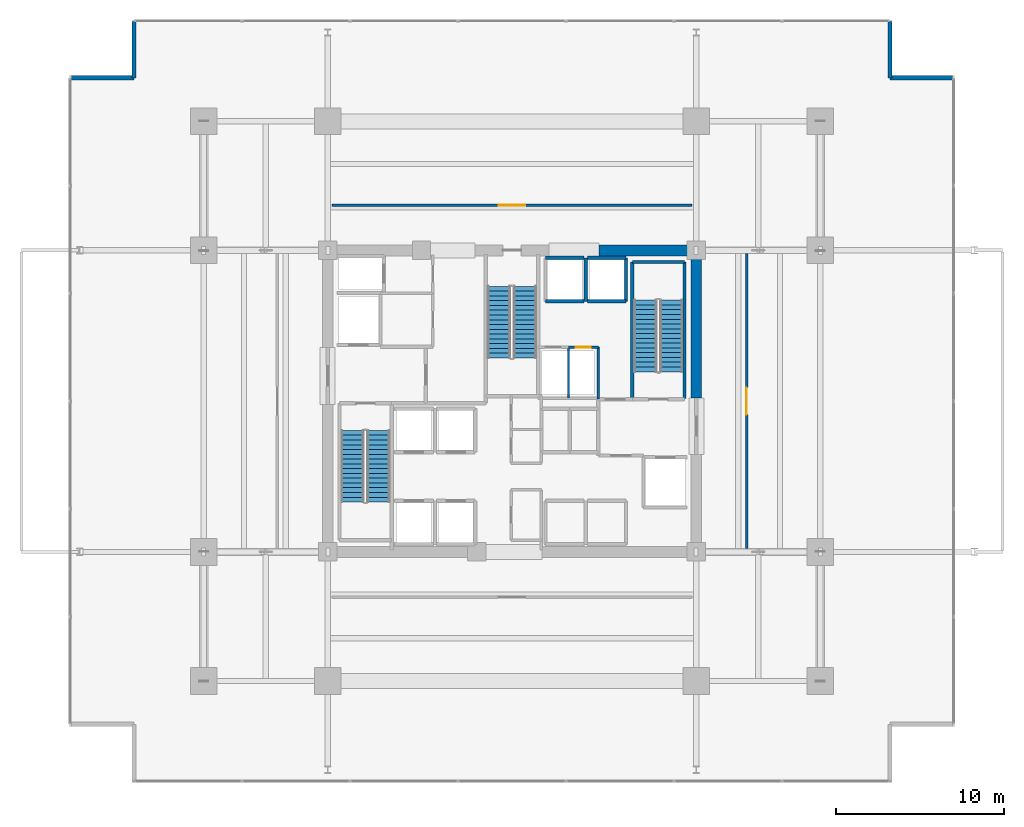
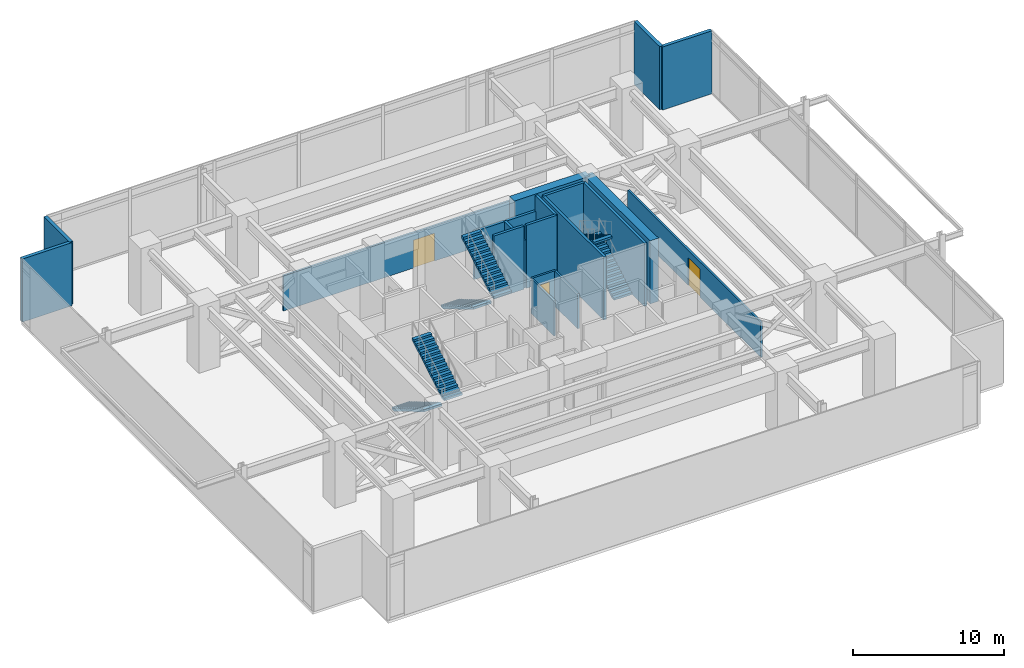
# One storey, part 25 of 26: 20 walls, 6 stair flights, 3 doors, 3 openings, 3 elements without a shape of their own.
"""IFC4 building model written with IfcOpenShell, lengths in metres."""

from ifc_helpers import new_model, si_unit, direction, frame, frame_2d, origin, place, context, subcontext, project, spatial, polyline, rectangle, outline, extrude, material, layer, layer_set, type_object, element, fill, aggregate, save


model = new_model("IFC4")

# Units and contexts
model_context = context("Model", 3, precision=1e-05, world=origin(), true_north=direction((0.0, 1.0)))
body_context = subcontext(model_context, "Body", "Model", "MODEL_VIEW")
ifc_project = project(units=[si_unit("LENGTHUNIT", "METRE"), si_unit("AREAUNIT", "SQUARE_METRE"), si_unit("VOLUMEUNIT", "CUBIC_METRE"), si_unit("PLANEANGLEUNIT", "RADIAN"), si_unit("MASSUNIT", "GRAM", prefix="KILO")], contexts=[model_context])

# Site, building, storey
site_placement = place(None, origin())
site = spatial("IfcSite", under=ifc_project, at=site_placement, CompositionType="ELEMENT")
building_placement = place(site_placement, origin())
building = spatial("IfcBuilding", under=site, at=building_placement, Name="Kovane Verandah Tower", CompositionType="ELEMENT")
storey_placement = place(building_placement, frame((0.0, 0.0, 113.0)))
storey = spatial("IfcBuildingStorey", under=building, at=storey_placement, Name="L26", CompositionType="ELEMENT", Elevation=113.0)

# Wall
ifc_material_1 = material(Name="Fire-Rated Gypsum Stud Partition", Category="gypsum")
ifc_layer_1 = layer(ifc_material_1, 0.14990234375)
ifc_layer_set_1 = layer_set([ifc_layer_1], Name="Fire-Rated Gypsum Stud Partition")
wall_type_1 = type_object("IfcWallType", Name="WL-COR-150", PredefinedType="PARTITIONING", material=ifc_layer_set_1)
wall_1_placement = place(storey_placement, frame((45.14990234375, 27.6201171875, 0.0), z_axis=(0.0, 0.0, 1.0), x_axis=(0.0, 1.0, 0.0)))
element("IfcWall", 1, at=wall_1_placement, inside=storey, type_object=wall_type_1, Name="L26 East Core Service Riser East Wall", PredefinedType="PARTITIONING", context=body_context, shape_type="SweptSolid", body=[
    extrude(rectangle(XDim=3.099853515625, YDim=0.14990234375, at=frame_2d((1.5498046875, 0.0))), origin(), (0.0, 0.0, 1.0), 2.85009765625),
])

# Wall, opening, door
wall_2_placement = place(storey_placement, frame((43.360107421875, 30.719970703125, 0.0), z_axis=(0.0, 0.0, 1.0), x_axis=(1.0, 0.0, 0.0)))
wall_2 = element("IfcWall", 2, at=wall_2_placement, inside=storey, type_object=wall_type_1, Name="L26 Smoke Extract Duct Room Partition", PredefinedType="PARTITIONING", context=body_context, shape_type="SweptSolid", body=[
    extrude(rectangle(XDim=1.789794921875, YDim=0.14990234375, at=frame_2d((0.89501953125, 0.0))), origin(), (0.0, 0.0, 1.0), 2.85009765625),
])
opening_1_placement = place(wall_2_placement, frame((0.455078125, 0.0, 0.0)))
opening_1 = element("IfcOpeningElement", 3, at=opening_1_placement, cuts=wall_2, Name="Opening DR-L26-012", PredefinedType="OPENING", context=body_context, shape_type="SweptSolid", body=[
    extrude(rectangle(XDim=0.8798828125, YDim=2.10009765625, at=frame_2d((0.43994140625, 1.050048828125))), frame((0.0, 0.074951171875, 0.0), z_axis=(0.0, -1.0, 0.0), x_axis=(1.0, 0.0, 0.0)), (0.0, 0.0, 1.0), 0.14990234375),
])
ifc_material_2 = material(Name="Fire-Rated Steel Riser Access Door", Category="steel")
door_type_1 = type_object("IfcDoorType", Name="DR-RISER-880", OperationType="SINGLE_SWING_LEFT", PredefinedType="DOOR", material=ifc_material_2)
door_1_placement = place(opening_1_placement, origin())
door_1 = element("IfcDoor", 4, at=door_1_placement, inside=storey, type_object=door_type_1, Name="L26 Smoke Extract Duct Room Door", OperationType="SINGLE_SWING_RIGHT", OverallHeight=2.10009765625, OverallWidth=0.8798828125, PredefinedType="DOOR", context=body_context, shape_type="SweptSolid", body=[
    extrude(rectangle(XDim=0.8798828125, YDim=2.10009765625, at=frame_2d((0.43994140625, 1.050048828125))), frame((0.0, 0.02490234375, 0.0), z_axis=(0.0, -1.0, 0.0), x_axis=(1.0, 0.0, 0.0)), (0.0, 0.0, 1.0), 0.050048828125),
])
fill(opening_1, door_1)

wall_3_placement = place(storey_placement, frame((29.25, 39.199951171875, 0.0), z_axis=(0.0, 0.0, 1.0), x_axis=(1.0, 0.0, 0.0)))
wall_3 = element("IfcWall", 5, at=wall_3_placement, inside=storey, type_object=wall_type_1, Name="L26 Mechanical AHU Plant Room North Corridor Partition", PredefinedType="PARTITIONING", context=body_context, shape_type="SweptSolid", body=[
    extrude(rectangle(XDim=21.5, YDim=0.14990234375, at=frame_2d((10.75, 0.0))), origin(), (0.0, 0.0, 1.0), 2.85009765625),
])
opening_2_placement = place(wall_3_placement, frame((9.949951171875, 0.0, 0.0)))
opening_2 = element("IfcOpeningElement", 6, at=opening_2_placement, cuts=wall_3, Name="Opening DR-L26-013", PredefinedType="OPENING", context=body_context, shape_type="SweptSolid", body=[
    extrude(rectangle(XDim=1.60009765625, YDim=2.25, at=frame_2d((0.800048828125, 1.125))), frame((0.0, 0.074951171875, 0.0), z_axis=(0.0, -1.0, 0.0), x_axis=(1.0, 0.0, 0.0)), (0.0, 0.0, 1.0), 0.14990234375),
])
ifc_material_3 = material(Name="Louvred Acoustic Steel Double Plant Door", Category="steel")
door_type_2 = type_object("IfcDoorType", Name="DR-PLANT-1600", OperationType="DOUBLE_DOOR_SINGLE_SWING", PredefinedType="DOOR", material=ifc_material_3)
door_2_placement = place(opening_2_placement, origin())
door_2 = element("IfcDoor", 7, at=door_2_placement, inside=storey, type_object=door_type_2, Name="L26 Mechanical AHU Plant Room North Entrance Door", OperationType="DOUBLE_DOOR_SINGLE_SWING", OverallHeight=2.25, OverallWidth=1.60009765625, PredefinedType="DOOR", context=body_context, shape_type="SweptSolid", body=[
    extrude(rectangle(XDim=1.60009765625, YDim=2.25, at=frame_2d((0.800048828125, 1.125))), frame((0.0, 0.02490234375, 0.0), z_axis=(0.0, -1.0, 0.0), x_axis=(1.0, 0.0, 0.0)), (0.0, 0.0, 1.0), 0.050048828125),
])
fill(opening_2, door_2)

wall_4_placement = place(storey_placement, frame((54.0, 18.699951171875, 0.0), z_axis=(0.0, 0.0, 1.0), x_axis=(0.0, 1.0, 0.0)))
wall_4 = element("IfcWall", 8, at=wall_4_placement, inside=storey, type_object=wall_type_1, Name="L26 Electrical Switchroom Plant East Corridor Partition", PredefinedType="PARTITIONING", context=body_context, shape_type="SweptSolid", body=[
    extrude(rectangle(XDim=17.60009765625, YDim=0.14990234375, at=frame_2d((8.800048828125, 0.0))), origin(), (0.0, 0.0, 1.0), 2.85009765625),
])
opening_3_placement = place(wall_4_placement, frame((8.0, 0.0, 0.0)))
opening_3 = element("IfcOpeningElement", 9, at=opening_3_placement, cuts=wall_4, Name="Opening DR-L26-010", PredefinedType="OPENING", context=body_context, shape_type="SweptSolid", body=[
    extrude(rectangle(XDim=1.60009765625, YDim=2.25, at=frame_2d((0.800048828125, 1.125))), frame((0.0, 0.074951171875, 0.0), z_axis=(0.0, -1.0, 0.0), x_axis=(1.0, 0.0, 0.0)), (0.0, 0.0, 1.0), 0.14990234375),
])
door_3_placement = place(opening_3_placement, origin())
door_3 = element("IfcDoor", 10, at=door_3_placement, inside=storey, type_object=door_type_2, Name="L26 Electrical Switchroom Plant East Entrance Door", OperationType="DOUBLE_DOOR_SINGLE_SWING", OverallHeight=2.25, OverallWidth=1.60009765625, PredefinedType="DOOR", context=body_context, shape_type="SweptSolid", body=[
    extrude(rectangle(XDim=1.60009765625, YDim=2.25, at=frame_2d((0.800048828125, 1.125))), frame((0.0, 0.02490234375, 0.0), z_axis=(0.0, -1.0, 0.0), x_axis=(1.0, 0.0, 0.0)), (0.0, 0.0, 1.0), 0.050048828125),
])
fill(opening_3, door_3)

# Walls
ifc_material_4 = material(Name="Concrete C80/95", Category="concrete")
ifc_layer_2 = layer(ifc_material_4, 0.64990234375)
ifc_layer_set_2 = layer_set([ifc_layer_2], Name="Concrete C80/95")
wall_type_2 = type_object("IfcWallType", Name="WL-CORE-650", PredefinedType="SHEAR", material=ifc_layer_set_2)
wall_5_placement = place(storey_placement, frame((45.199951171875, 36.5, 0.0), z_axis=(0.0, 0.0, 1.0), x_axis=(1.0, 0.0, 0.0)))
element("IfcWall", 11, at=wall_5_placement, inside=storey, type_object=wall_type_2, Name="L26 Core Shear Wall CN-3", PredefinedType="SHEAR", context=body_context, shape_type="SweptSolid", body=[
    extrude(rectangle(XDim=5.800048828125, YDim=0.64990234375, at=frame_2d((2.89990234375, 0.0))), origin(), (0.0, 0.0, 1.0), 5.10009765625),
])
wall_6_placement = place(storey_placement, frame((51.0, 27.699951171875, 0.0), z_axis=(0.0, 0.0, 1.0), x_axis=(0.0, 1.0, 0.0)))
element("IfcWall", 12, at=wall_6_placement, inside=storey, type_object=wall_type_2, Name="L26 Core Shear Wall CE-2", PredefinedType="SHEAR", context=body_context, shape_type="SweptSolid", body=[
    extrude(rectangle(XDim=8.800048828125, YDim=0.64990234375, at=frame_2d((4.39990234375, 0.0))), origin(), (0.0, 0.0, 1.0), 5.10009765625),
])
ifc_material_5 = material(Name="Concrete C45/55 Lift Shaft Wall", Category="concrete")
ifc_layer_3 = layer(ifc_material_5, 0.199951171875)
ifc_layer_set_3 = layer_set([ifc_layer_3], Name="Concrete C45/55 Lift Shaft Wall")
wall_type_3 = type_object("IfcWallType", Name="WL-LIFT-200", PredefinedType="SOLIDWALL", material=ifc_layer_set_3)
wall_7_placement = place(storey_placement, frame((42.0, 33.449951171875, 0.0), z_axis=(0.0, 0.0, 1.0), x_axis=(1.0, 0.0, 0.0)))
element("IfcWall", 13, at=wall_7_placement, inside=storey, type_object=wall_type_3, Name="L26 Lift SL-01 S Shaft Wall", PredefinedType="SOLIDWALL", context=body_context, shape_type="SweptSolid", body=[
    extrude(rectangle(XDim=2.300048828125, YDim=0.199951171875, at=frame_2d((1.14990234375, 0.0))), origin(), (0.0, 0.0, 1.0), 5.10009765625),
])
wall_8_placement = place(storey_placement, frame((44.300048828125, 36.050048828125, 0.0), z_axis=(0.0, 0.0, 1.0), x_axis=(-1.0, 0.0, 0.0)))
element("IfcWall", 14, at=wall_8_placement, inside=storey, type_object=wall_type_3, Name="L26 Lift SL-01 N Shaft Wall", PredefinedType="SOLIDWALL", context=body_context, shape_type="SweptSolid", body=[
    extrude(rectangle(XDim=2.300048828125, YDim=0.199951171875, at=frame_2d((1.14990234375, 0.0))), origin(), (0.0, 0.0, 1.0), 3.8798828125),
])
wall_9_placement = place(storey_placement, frame((44.39990234375, 33.449951171875, 0.0), z_axis=(0.0, 0.0, 1.0), x_axis=(0.0, 1.0, 0.0)))
element("IfcWall", 15, at=wall_9_placement, inside=storey, type_object=wall_type_3, Name="L26 Lift OL-01 and SL-01 Shared Shaft Wall", PredefinedType="SOLIDWALL", context=body_context, shape_type="SweptSolid", body=[
    extrude(rectangle(XDim=2.60009765625, YDim=0.199951171875, at=frame_2d((1.300048828125, 0.0))), origin(), (0.0, 0.0, 1.0), 3.8798828125),
])
wall_10_placement = place(storey_placement, frame((44.5, 33.449951171875, 0.0), z_axis=(0.0, 0.0, 1.0), x_axis=(1.0, 0.0, 0.0)))
element("IfcWall", 16, at=wall_10_placement, inside=storey, type_object=wall_type_3, Name="L26 Lift OL-01 S Shaft Wall", PredefinedType="SOLIDWALL", context=body_context, shape_type="SweptSolid", body=[
    extrude(rectangle(XDim=2.300048828125, YDim=0.199951171875, at=frame_2d((1.14990234375, 0.0))), origin(), (0.0, 0.0, 1.0), 5.10009765625),
])
wall_11_placement = place(storey_placement, frame((46.800048828125, 36.050048828125, 0.0), z_axis=(0.0, 0.0, 1.0), x_axis=(-1.0, 0.0, 0.0)))
element("IfcWall", 17, at=wall_11_placement, inside=storey, type_object=wall_type_3, Name="L26 Lift OL-01 N Shaft Wall", PredefinedType="SOLIDWALL", context=body_context, shape_type="SweptSolid", body=[
    extrude(rectangle(XDim=2.300048828125, YDim=0.199951171875, at=frame_2d((1.14990234375, 0.0))), origin(), (0.0, 0.0, 1.0), 3.8798828125),
])
wall_12_placement = place(storey_placement, frame((46.800048828125, 33.449951171875, 0.0), z_axis=(0.0, 0.0, 1.0), x_axis=(0.0, 1.0, 0.0)))
element("IfcWall", 18, at=wall_12_placement, inside=storey, type_object=wall_type_3, Name="L26 Lift OL-01 E Shaft Wall", PredefinedType="SOLIDWALL", context=body_context, shape_type="SweptSolid", body=[
    extrude(rectangle(XDim=2.60009765625, YDim=0.199951171875, at=frame_2d((1.300048828125, 0.0))), origin(), (0.0, 0.0, 1.0), 5.10009765625),
])
ifc_material_6 = material(Name="Acoustic Fire-Rated Gypsum Partition", Category="gypsum")
ifc_layer_4 = layer(ifc_material_6, 0.1201171875)
ifc_layer_set_4 = layer_set([ifc_layer_4], Name="Acoustic Fire-Rated Gypsum Partition")
wall_type_4 = type_object("IfcWallType", Name="WL-PART-120", PredefinedType="PARTITIONING", material=ifc_layer_set_4)
wall_13_placement = place(storey_placement, frame((43.360107421875, 27.679931640625, 0.0), z_axis=(0.0, 0.0, 1.0), x_axis=(0.0, 1.0, 0.0)))
element("IfcWall", 19, at=wall_13_placement, inside=storey, type_object=wall_type_4, Name="L26 Service Riser Dividing Partition", PredefinedType="PARTITIONING", context=body_context, shape_type="SweptSolid", body=[
    extrude(rectangle(XDim=3.0400390625, YDim=0.1201171875, at=frame_2d((1.52001953125, 0.0))), origin(), (0.0, 0.0, 1.0), 2.85009765625),
])
ifc_material_7 = material(Name="Concrete C45/55", Category="concrete")
ifc_layer_5 = layer(ifc_material_7, 0.199951171875)
ifc_layer_set_5 = layer_set([ifc_layer_5], Name="Concrete C45/55")
wall_type_5 = type_object("IfcWallType", Name="WL-SHAFT-200", PredefinedType="SOLIDWALL", material=ifc_layer_set_5)
wall_14_placement = place(storey_placement, frame((50.300048828125, 27.64990234375, 0.0), z_axis=(0.0, 0.0, 1.0), x_axis=(0.0, 1.0, 0.0)))
element("IfcWall", 20, at=wall_14_placement, inside=storey, type_object=wall_type_5, Name="W-L26-ST02-E", PredefinedType="SOLIDWALL", context=body_context, shape_type="SweptSolid", body=[
    extrude(rectangle(XDim=8.150146484375, YDim=0.199951171875, at=frame_2d((4.0751953125, 0.0))), origin(), (0.0, 0.0, 1.0), 5.10009765625),
])
wall_15_placement = place(storey_placement, frame((47.179931640625, 35.800048828125, 0.0), z_axis=(0.0, 0.0, 1.0), x_axis=(1.0, 0.0, 0.0)))
element("IfcWall", 21, at=wall_15_placement, inside=storey, type_object=wall_type_5, Name="W-L26-ST02-N", PredefinedType="SOLIDWALL", context=body_context, shape_type="SweptSolid", body=[
    extrude(rectangle(XDim=3.1201171875, YDim=0.199951171875, at=frame_2d((1.56005859375, 0.0))), origin(), (0.0, 0.0, 1.0), 5.10009765625),
])
wall_16_placement = place(storey_placement, frame((47.179931640625, 27.6201171875, 0.0), z_axis=(0.0, 0.0, 1.0), x_axis=(0.0, 1.0, 0.0)))
element("IfcWall", 22, at=wall_16_placement, inside=storey, type_object=wall_type_5, Name="W-L26-ST02-W", PredefinedType="SOLIDWALL", context=body_context, shape_type="SweptSolid", body=[
    extrude(rectangle(XDim=8.179931640625, YDim=0.199951171875, at=frame_2d((4.08984375, 0.0))), origin(), (0.0, 0.0, 1.0), 5.10009765625),
])
ifc_material_8 = material(Name="Concrete C45/55 Insulated Spandrel Wall", Category="concrete")
ifc_layer_6 = layer(ifc_material_8, 0.260009765625)
ifc_layer_set_6 = layer_set([ifc_layer_6], Name="Concrete C45/55 Insulated Spandrel Wall")
wall_type_6 = type_object("IfcWallType", Name="WL-SPANDREL-260", PredefinedType="PARAPET", material=ifc_layer_set_6)
wall_17_placement = place(storey_placement, frame((66.364013671875, 46.794921875, 0.0), z_axis=(0.0, 0.0, 1.0), x_axis=(-1.0, 0.0, 0.0)))
element("IfcWall", 23, at=wall_17_placement, inside=storey, type_object=wall_type_6, Name="L26 NE Notch Cheek Wall 1", PredefinedType="PARAPET", context=body_context, shape_type="SweptSolid", body=[
    extrude(rectangle(XDim=3.7998046875, YDim=0.260009765625, at=frame_2d((1.89990234375, 0.0))), origin(), (0.0, 0.0, 1.0), 5.10009765625),
])
for number, where, z_axis, x_axis, name in (
    (24, (62.564208984375, 46.794921875, 0.0), (0.0, 0.0, 1.0), (0.0, 1.0, 0.0), "L26 NE Notch Cheek Wall 2"),
    (25, (17.435791015625, 50.19482421875, 0.0), (0.0, 0.0, 1.0), (0.0, -1.0, 0.0), "L26 NW Notch Cheek Wall 1"),
):
    element("IfcWall", number, at=place(storey_placement, frame(where, z_axis=z_axis, x_axis=x_axis)), inside=storey, type_object=wall_type_6, Name=name, PredefinedType="PARAPET", context=body_context, shape_type="SweptSolid", body=[
        extrude(rectangle(XDim=3.39990234375, YDim=0.260009765625, at=frame_2d((1.699951171875, 0.0))), origin(), (0.0, 0.0, 1.0), 5.10009765625),
    ])
wall_18_placement = place(storey_placement, frame((17.435791015625, 46.794921875, 0.0), z_axis=(0.0, 0.0, 1.0), x_axis=(-1.0, 0.0, 0.0)))
element("IfcWall", 26, at=wall_18_placement, inside=storey, type_object=wall_type_6, Name="L26 NW Notch Cheek Wall 2", PredefinedType="PARAPET", context=body_context, shape_type="SweptSolid", body=[
    extrude(rectangle(XDim=3.7998046875, YDim=0.260009765625, at=frame_2d((1.89990234375, 0.0))), origin(), (0.0, 0.0, 1.0), 5.10009765625),
])

# Stair, stair flights
stair_type = type_object("IfcStairType", Name="ST-CORE-1380", PredefinedType="HALF_TURN_STAIR", material=ifc_material_7)
stair_1_placement = place(storey_placement, origin())
stair_1 = element("IfcStair", 27, at=stair_1_placement, inside=storey, type_object=stair_type, Name="L26 Exit Stair ST-01", PredefinedType="HALF_TURN_STAIR")
stair_flight_type = type_object("IfcStairFlightType", Name="STF-CORE-1380", PredefinedType="STRAIGHT", material=ifc_material_7)
stair_flight_1_placement = place(storey_placement, frame((30.489990234375, 25.75, 0.0), z_axis=(0.0, 0.0, 1.0), x_axis=(0.0, -1.0, 0.0)))
stair_flight_1 = element("IfcStairFlight", 28, at=stair_flight_1_placement, type_object=stair_flight_type, Name="ST-01 flight 1", NumberOfRisers=16, NumberOfTreads=15, PredefinedType="STRAIGHT", RiserHeight=0.16875, TreadLength=0.285, context=body_context, shape_type="SweptSolid", body=[
    extrude(outline(polyline([(0.0, 0.0), (0.0, 0.168701171875), (0.284912109375, 0.168701171875), (0.284912109375, 0.33740234375), (0.570068359375, 0.33740234375), (0.570068359375, 0.50634765625), (0.85498046875, 0.50634765625), (0.85498046875, 0.675048828125), (1.139892578125, 0.675048828125), (1.139892578125, 0.84375), (1.425048828125, 0.84375), (1.425048828125, 1.012451171875), (1.7099609375, 1.012451171875), (1.7099609375, 1.18115234375), (1.9951171875, 1.18115234375), (1.9951171875, 1.35009765625), (2.280029296875, 1.35009765625), (2.280029296875, 1.518798828125), (2.56494140625, 1.518798828125), (2.56494140625, 1.6875), (2.85009765625, 1.6875), (2.85009765625, 1.856201171875), (3.135009765625, 1.856201171875), (3.135009765625, 2.02490234375), (3.419921875, 2.02490234375), (3.419921875, 2.19384765625), (3.705078125, 2.19384765625), (3.705078125, 2.362548828125), (3.989990234375, 2.362548828125), (3.989990234375, 2.53125), (4.27490234375, 2.53125), (4.27490234375, 2.699951171875), (4.27490234375, 2.35693359375), (0.294189453125, 0.0), (0.0, 0.0)])), frame((0.0, 0.68994140625, 0.0), z_axis=(0.0, -1.0, 0.0), x_axis=(1.0, 0.0, 0.0)), (0.0, 0.0, 1.0), 1.3798828125),
])
stair_flight_2_placement = place(storey_placement, frame((32.030029296875, 21.47509765625, 2.699951171875), z_axis=(0.0, 0.0, 1.0), x_axis=(0.0, 1.0, 0.0)))
stair_flight_2 = element("IfcStairFlight", 29, at=stair_flight_2_placement, type_object=stair_flight_type, Name="ST-01 flight 2", NumberOfRisers=16, NumberOfTreads=15, PredefinedType="STRAIGHT", RiserHeight=0.16875, TreadLength=0.285, context=body_context, shape_type="SweptSolid", body=[
    extrude(outline(polyline([(0.0, 0.0), (0.0, 0.168701171875), (0.284912109375, 0.168701171875), (0.284912109375, 0.33740234375), (0.570068359375, 0.33740234375), (0.570068359375, 0.50634765625), (0.85498046875, 0.50634765625), (0.85498046875, 0.675048828125), (1.139892578125, 0.675048828125), (1.139892578125, 0.84375), (1.425048828125, 0.84375), (1.425048828125, 1.012451171875), (1.7099609375, 1.012451171875), (1.7099609375, 1.18115234375), (1.9951171875, 1.18115234375), (1.9951171875, 1.35009765625), (2.280029296875, 1.35009765625), (2.280029296875, 1.518798828125), (2.56494140625, 1.518798828125), (2.56494140625, 1.6875), (2.85009765625, 1.6875), (2.85009765625, 1.856201171875), (3.135009765625, 1.856201171875), (3.135009765625, 2.02490234375), (3.419921875, 2.02490234375), (3.419921875, 2.19384765625), (3.705078125, 2.19384765625), (3.705078125, 2.362548828125), (3.989990234375, 2.362548828125), (3.989990234375, 2.53125), (4.27490234375, 2.53125), (4.27490234375, 2.699951171875), (4.27490234375, 2.35693359375), (0.294189453125, 0.0), (0.0, 0.0)])), frame((0.0, 0.68994140625, 0.0), z_axis=(0.0, -1.0, 0.0), x_axis=(1.0, 0.0, 0.0)), (0.0, 0.0, 1.0), 1.3798828125),
])
aggregate(stair_1, [stair_flight_1, stair_flight_2])

stair_2_placement = place(storey_placement, origin())
stair_2 = element("IfcStair", 30, at=stair_2_placement, inside=storey, type_object=stair_type, Name="L26 Exit Stair ST-02", PredefinedType="HALF_TURN_STAIR")
stair_flight_3_placement = place(storey_placement, frame((49.510009765625, 29.25, 0.0), z_axis=(0.0, 0.0, 1.0), x_axis=(0.0, 1.0, 0.0)))
stair_flight_3 = element("IfcStairFlight", 31, at=stair_flight_3_placement, type_object=stair_flight_type, Name="ST-02 flight 1", NumberOfRisers=16, NumberOfTreads=15, PredefinedType="STRAIGHT", RiserHeight=0.16875, TreadLength=0.285, context=body_context, shape_type="SweptSolid", body=[
    extrude(outline(polyline([(0.0, 0.0), (0.0, 0.168701171875), (0.284912109375, 0.168701171875), (0.284912109375, 0.33740234375), (0.570068359375, 0.33740234375), (0.570068359375, 0.50634765625), (0.85498046875, 0.50634765625), (0.85498046875, 0.675048828125), (1.139892578125, 0.675048828125), (1.139892578125, 0.84375), (1.425048828125, 0.84375), (1.425048828125, 1.012451171875), (1.7099609375, 1.012451171875), (1.7099609375, 1.18115234375), (1.9951171875, 1.18115234375), (1.9951171875, 1.35009765625), (2.280029296875, 1.35009765625), (2.280029296875, 1.518798828125), (2.56494140625, 1.518798828125), (2.56494140625, 1.6875), (2.85009765625, 1.6875), (2.85009765625, 1.856201171875), (3.135009765625, 1.856201171875), (3.135009765625, 2.02490234375), (3.419921875, 2.02490234375), (3.419921875, 2.19384765625), (3.705078125, 2.19384765625), (3.705078125, 2.362548828125), (3.989990234375, 2.362548828125), (3.989990234375, 2.53125), (4.27490234375, 2.53125), (4.27490234375, 2.699951171875), (4.27490234375, 2.35693359375), (0.294189453125, 0.0), (0.0, 0.0)])), frame((0.0, 0.68994140625, 0.0), z_axis=(0.0, -1.0, 0.0), x_axis=(1.0, 0.0, 0.0)), (0.0, 0.0, 1.0), 1.3798828125),
])
stair_flight_4_placement = place(storey_placement, frame((47.969970703125, 33.52490234375, 2.699951171875), z_axis=(0.0, 0.0, 1.0), x_axis=(0.0, -1.0, 0.0)))
stair_flight_4 = element("IfcStairFlight", 32, at=stair_flight_4_placement, type_object=stair_flight_type, Name="ST-02 flight 2", NumberOfRisers=16, NumberOfTreads=15, PredefinedType="STRAIGHT", RiserHeight=0.16875, TreadLength=0.285, context=body_context, shape_type="SweptSolid", body=[
    extrude(outline(polyline([(0.0, 0.0), (0.0, 0.168701171875), (0.284912109375, 0.168701171875), (0.284912109375, 0.33740234375), (0.570068359375, 0.33740234375), (0.570068359375, 0.50634765625), (0.85498046875, 0.50634765625), (0.85498046875, 0.675048828125), (1.139892578125, 0.675048828125), (1.139892578125, 0.84375), (1.425048828125, 0.84375), (1.425048828125, 1.012451171875), (1.7099609375, 1.012451171875), (1.7099609375, 1.18115234375), (1.9951171875, 1.18115234375), (1.9951171875, 1.35009765625), (2.280029296875, 1.35009765625), (2.280029296875, 1.518798828125), (2.56494140625, 1.518798828125), (2.56494140625, 1.6875), (2.85009765625, 1.6875), (2.85009765625, 1.856201171875), (3.135009765625, 1.856201171875), (3.135009765625, 2.02490234375), (3.419921875, 2.02490234375), (3.419921875, 2.19384765625), (3.705078125, 2.19384765625), (3.705078125, 2.362548828125), (3.989990234375, 2.362548828125), (3.989990234375, 2.53125), (4.27490234375, 2.53125), (4.27490234375, 2.699951171875), (4.27490234375, 2.35693359375), (0.294189453125, 0.0), (0.0, 0.0)])), frame((0.0, 0.68994140625, 0.0), z_axis=(0.0, -1.0, 0.0), x_axis=(1.0, 0.0, 0.0)), (0.0, 0.0, 1.0), 1.3798828125),
])
aggregate(stair_2, [stair_flight_3, stair_flight_4])

stair_3_placement = place(storey_placement, origin())
stair_3 = element("IfcStair", 33, at=stair_3_placement, inside=storey, type_object=stair_type, Name="L26 Exit Stair ST-03", PredefinedType="HALF_TURN_STAIR")
stair_flight_5_placement = place(storey_placement, frame((39.22998046875, 34.35009765625, 0.0), z_axis=(0.0, 0.0, 1.0), x_axis=(0.0, -1.0, 0.0)))
stair_flight_5 = element("IfcStairFlight", 34, at=stair_flight_5_placement, type_object=stair_flight_type, Name="ST-03 flight 1", NumberOfRisers=16, NumberOfTreads=15, PredefinedType="STRAIGHT", RiserHeight=0.16875, TreadLength=0.285, context=body_context, shape_type="SweptSolid", body=[
    extrude(outline(polyline([(0.0, 0.0), (0.0, 0.168701171875), (0.284912109375, 0.168701171875), (0.284912109375, 0.33740234375), (0.570068359375, 0.33740234375), (0.570068359375, 0.50634765625), (0.85498046875, 0.50634765625), (0.85498046875, 0.675048828125), (1.139892578125, 0.675048828125), (1.139892578125, 0.84375), (1.425048828125, 0.84375), (1.425048828125, 1.012451171875), (1.7099609375, 1.012451171875), (1.7099609375, 1.18115234375), (1.9951171875, 1.18115234375), (1.9951171875, 1.35009765625), (2.280029296875, 1.35009765625), (2.280029296875, 1.518798828125), (2.56494140625, 1.518798828125), (2.56494140625, 1.6875), (2.85009765625, 1.6875), (2.85009765625, 1.856201171875), (3.135009765625, 1.856201171875), (3.135009765625, 2.02490234375), (3.419921875, 2.02490234375), (3.419921875, 2.19384765625), (3.705078125, 2.19384765625), (3.705078125, 2.362548828125), (3.989990234375, 2.362548828125), (3.989990234375, 2.53125), (4.27490234375, 2.53125), (4.27490234375, 2.699951171875), (4.27490234375, 2.35693359375), (0.294189453125, 0.0), (0.0, 0.0)])), frame((0.0, 0.68994140625, 0.0), z_axis=(0.0, -1.0, 0.0), x_axis=(1.0, 0.0, 0.0)), (0.0, 0.0, 1.0), 1.3798828125),
])
stair_flight_6_placement = place(storey_placement, frame((40.77001953125, 30.074951171875, 2.699951171875), z_axis=(0.0, 0.0, 1.0), x_axis=(0.0, 1.0, 0.0)))
stair_flight_6 = element("IfcStairFlight", 35, at=stair_flight_6_placement, type_object=stair_flight_type, Name="ST-03 flight 2", NumberOfRisers=16, NumberOfTreads=15, PredefinedType="STRAIGHT", RiserHeight=0.16875, TreadLength=0.285, context=body_context, shape_type="SweptSolid", body=[
    extrude(outline(polyline([(0.0, 0.0), (0.0, 0.168701171875), (0.284912109375, 0.168701171875), (0.284912109375, 0.33740234375), (0.570068359375, 0.33740234375), (0.570068359375, 0.50634765625), (0.85498046875, 0.50634765625), (0.85498046875, 0.675048828125), (1.139892578125, 0.675048828125), (1.139892578125, 0.84375), (1.425048828125, 0.84375), (1.425048828125, 1.012451171875), (1.7099609375, 1.012451171875), (1.7099609375, 1.18115234375), (1.9951171875, 1.18115234375), (1.9951171875, 1.35009765625), (2.280029296875, 1.35009765625), (2.280029296875, 1.518798828125), (2.56494140625, 1.518798828125), (2.56494140625, 1.6875), (2.85009765625, 1.6875), (2.85009765625, 1.856201171875), (3.135009765625, 1.856201171875), (3.135009765625, 2.02490234375), (3.419921875, 2.02490234375), (3.419921875, 2.19384765625), (3.705078125, 2.19384765625), (3.705078125, 2.362548828125), (3.989990234375, 2.362548828125), (3.989990234375, 2.53125), (4.27490234375, 2.53125), (4.27490234375, 2.699951171875), (4.27490234375, 2.35693359375), (0.294189453125, 0.0), (0.0, 0.0)])), frame((0.0, 0.68994140625, 0.0), z_axis=(0.0, -1.0, 0.0), x_axis=(1.0, 0.0, 0.0)), (0.0, 0.0, 1.0), 1.3798828125),
])
aggregate(stair_3, [stair_flight_5, stair_flight_6])

save(model, "model.ifc")
